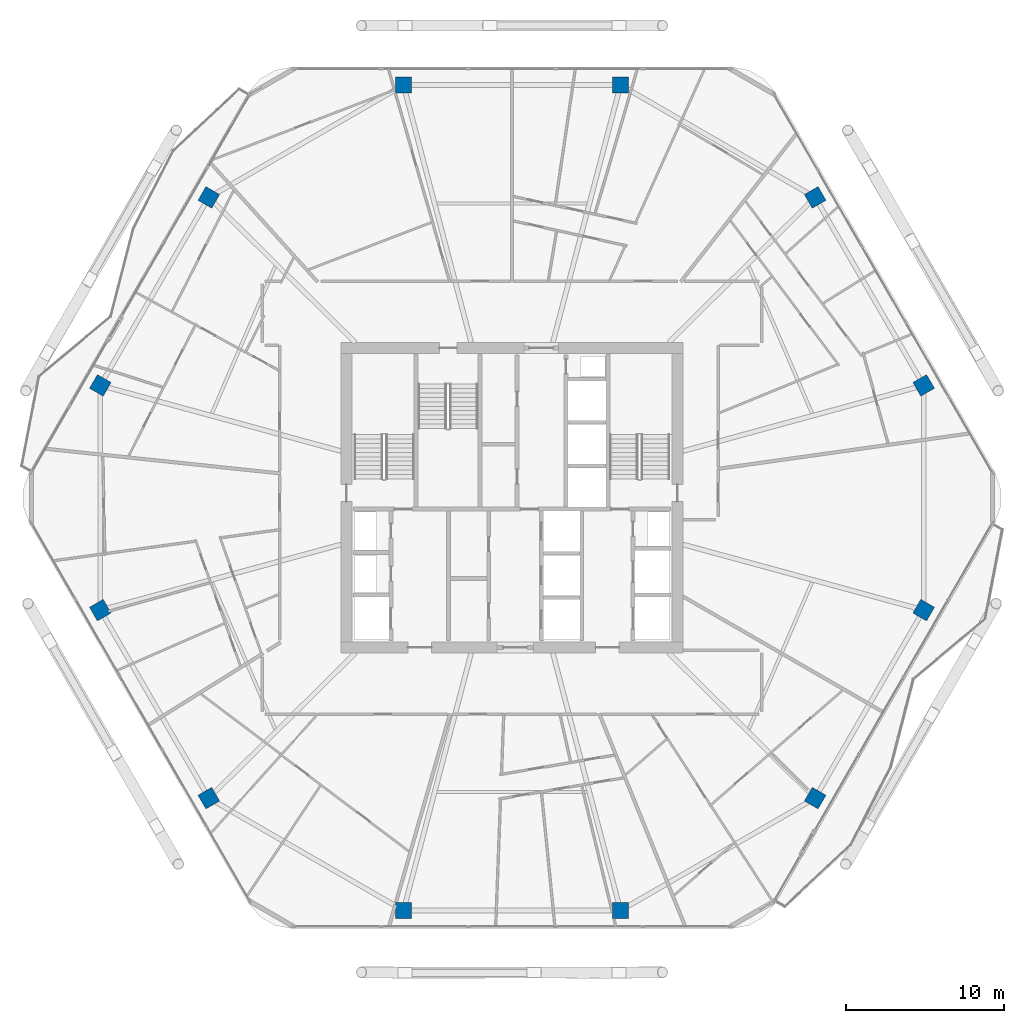
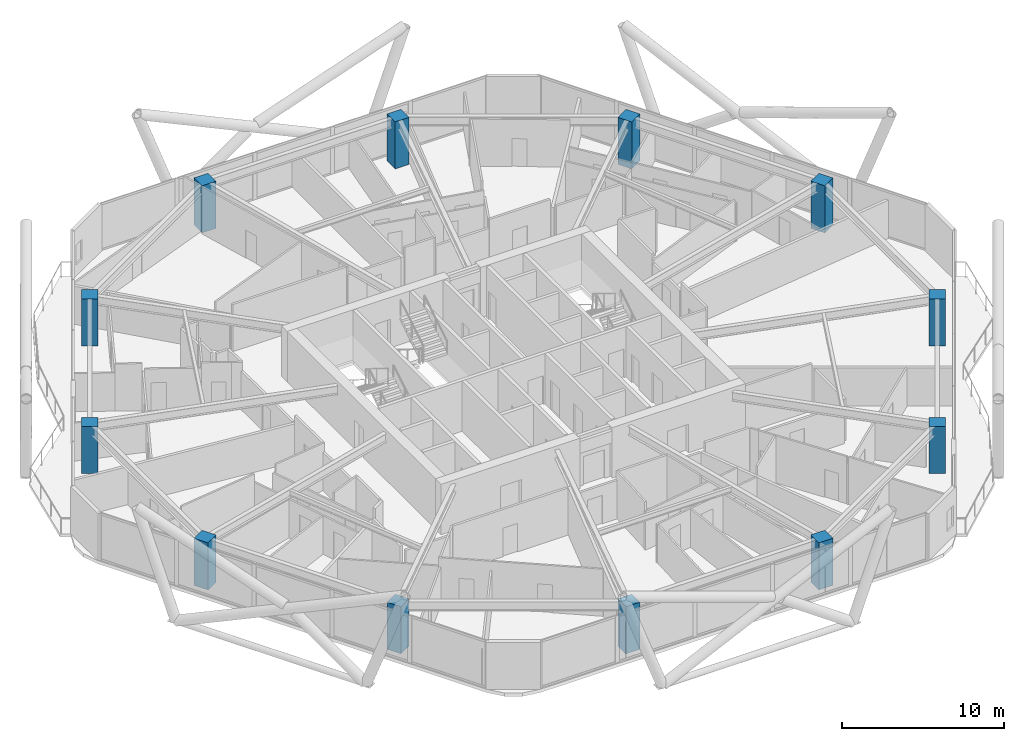
# One storey, part 1 of 28: 12 columns.
"""IFC4 building model written with IfcOpenShell, lengths in metres."""

from ifc_helpers import new_model, si_unit, direction, frame, origin, origin_2d, place, context, subcontext, project, spatial, rectangle, extrude, material, material_profile, profile_set, type_object, element, save


model = new_model("IFC4")

# Units and contexts
model_context = context("Model", 3, precision=1e-05, world=origin(), true_north=direction((0.0, 1.0)))
body_context = subcontext(model_context, "Body", "Model", "MODEL_VIEW")
ifc_project = project(units=[si_unit("LENGTHUNIT", "METRE"), si_unit("AREAUNIT", "SQUARE_METRE"), si_unit("VOLUMEUNIT", "CUBIC_METRE"), si_unit("PLANEANGLEUNIT", "RADIAN"), si_unit("MASSUNIT", "GRAM", prefix="KILO")], contexts=[model_context])

# Site, building, storey
site_placement = place(None, origin())
site = spatial("IfcSite", under=ifc_project, at=site_placement, CompositionType="ELEMENT")
building_placement = place(site_placement, origin())
building = spatial("IfcBuilding", under=site, at=building_placement, Name="Zuhravey Tower", CompositionType="ELEMENT")
storey_placement = place(building_placement, frame((0.0, 0.0, 154.199951171875)))
storey = spatial("IfcBuildingStorey", under=building, at=storey_placement, Name="L38", CompositionType="ELEMENT", Elevation=154.199951171875)

# Columns
ifc_material = material(Name="Concrete C60/75", Category="concrete")
ifc_material_profile = material_profile(ifc_material, rectangle(XDim=1.0, YDim=1.0, at=origin_2d()), Name="RC-1000x1000")
ifc_profile_set = profile_set([ifc_material_profile], Name="Concrete C60/75")
column_type = type_object("IfcColumnType", Name="Zone 2 Perimeter Column 1000x1000", PredefinedType="COLUMN", material=ifc_profile_set)
for number, where, z_axis, x_axis, name in (
    (1, (62.107666015625, 39.12646484375, 0.0), (0.0, 0.0, 1.0), (-0.5, 0.866025403784, 0.0), "L38 Perimeter Column PC01"),
    (2, (55.2255859375, 51.046630859375, 0.0), (0.0, 0.0, 1.0), (-0.5, 0.866025403784, 0.0), "L38 Perimeter Column PC02"),
    (3, (42.882080078125, 58.173095703125, 0.0), (0.0, 0.0, 1.0), (-1.0, 0.0, 0.0), "L38 Perimeter Column PC03"),
    (4, (29.117919921875, 58.173095703125, 0.0), (0.0, 0.0, 1.0), (-1.0, 0.0, 0.0), "L38 Perimeter Column PC04"),
    (5, (16.7744140625, 51.046630859375, 0.0), (0.0, 0.0, 1.0), (-0.5, -0.866025403784, 0.0), "L38 Perimeter Column PC05"),
    (6, (9.892333984375, 39.12646484375, 0.0), (0.0, 0.0, 1.0), (-0.5, -0.866025403784, 0.0), "L38 Perimeter Column PC06"),
    (7, (9.892333984375, 24.87353515625, 0.0), (0.0, 0.0, 1.0), (0.5, -0.866025403784, 0.0), "L38 Perimeter Column PC07"),
    (8, (16.7744140625, 12.953369140625, 0.0), (0.0, 0.0, 1.0), (0.5, -0.866025403784, 0.0), "L38 Perimeter Column PC08"),
    (9, (29.117919921875, 5.826904296875, 0.0), (0.0, 0.0, 1.0), (1.0, 0.0, 0.0), "L38 Perimeter Column PC09"),
    (10, (42.882080078125, 5.826904296875, 0.0), (0.0, 0.0, 1.0), (1.0, 0.0, 0.0), "L38 Perimeter Column PC10"),
    (11, (55.2255859375, 12.953369140625, 0.0), (0.0, 0.0, 1.0), (0.5, 0.866025403784, 0.0), "L38 Perimeter Column PC11"),
    (12, (62.107666015625, 24.87353515625, 0.0), (0.0, 0.0, 1.0), (0.5, 0.866025403784, 0.0), "L38 Perimeter Column PC12"),
):
    element("IfcColumn", number, at=place(storey_placement, frame(where, z_axis=z_axis, x_axis=x_axis)), inside=storey, type_object=column_type, Name=name, PredefinedType="COLUMN", context=body_context, shape_type="SweptSolid", body=[
        extrude(rectangle(XDim=1.0, YDim=1.0, at=origin_2d()), origin(), (0.0, 0.0, 1.0), 3.550048828125),
    ])

save(model, "model.ifc")
